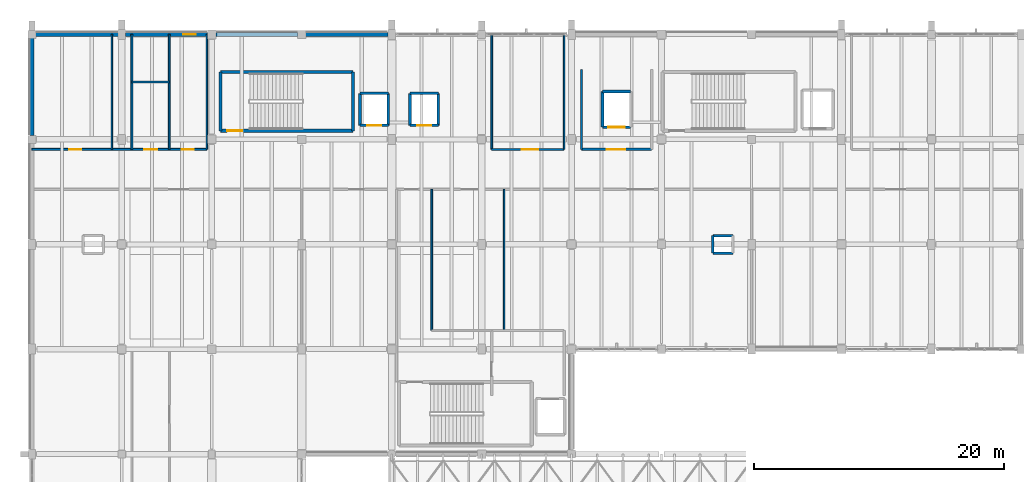
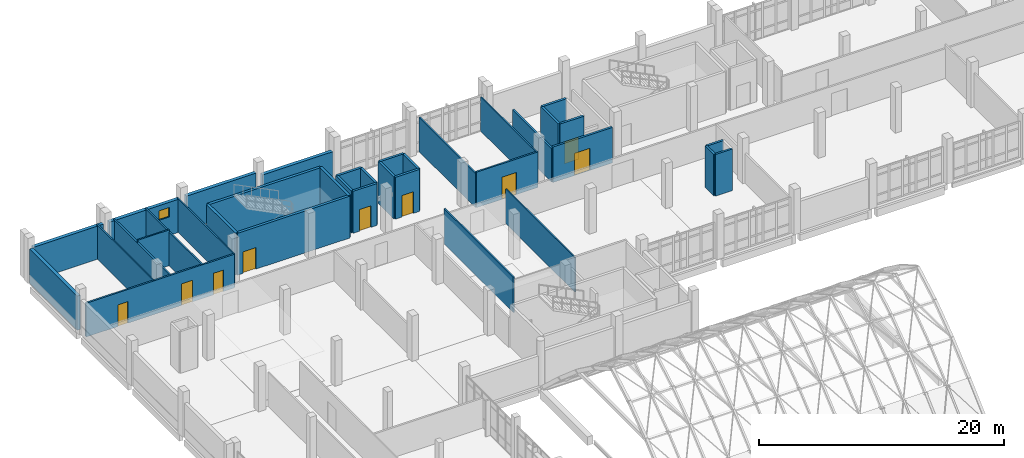
# One storey, part 76 of 87: 36 walls, 9 doors, 1 window, 10 openings.
"""IFC4 building model written with IfcOpenShell, lengths in metres."""

from ifc_helpers import new_model, si_unit, direction, frame, frame_2d, origin, place, context, subcontext, project, spatial, rectangle, extrude, material, layer, layer_set, type_object, element, fill, save


model = new_model("IFC4")

# Units and contexts
model_context = context("Model", 3, precision=1e-05, world=origin(), true_north=direction((0.0, 1.0)))
body_context = subcontext(model_context, "Body", "Model", "MODEL_VIEW")
ifc_project = project(units=[si_unit("LENGTHUNIT", "METRE"), si_unit("AREAUNIT", "SQUARE_METRE"), si_unit("VOLUMEUNIT", "CUBIC_METRE"), si_unit("PLANEANGLEUNIT", "RADIAN"), si_unit("MASSUNIT", "GRAM", prefix="KILO")], contexts=[model_context])

# Site, building, storey
site_placement = place(None, origin())
site = spatial("IfcSite", under=ifc_project, at=site_placement, CompositionType="ELEMENT")
building_placement = place(site_placement, origin())
building = spatial("IfcBuilding", under=site, at=building_placement, Name="Kalluvel Institute of Natural Sciences", CompositionType="ELEMENT")
storey_placement = place(building_placement, frame((0.0, 0.0, 18.89990234375)))
storey = spatial("IfcBuildingStorey", under=building, at=storey_placement, Name="L04", CompositionType="ELEMENT", Elevation=18.89990234375)

# Wall, opening, door
ifc_material_1 = material(Name="Concrete M40", Category="concrete")
ifc_layer_1 = layer(ifc_material_1, 0.25)
ifc_layer_set_1 = layer_set([ifc_layer_1], Name="Concrete M40")
wall_type_1 = type_object("IfcWallType", Name="WL-CORE-250", PredefinedType="SHEAR", material=ifc_layer_set_1)
wall_1_placement = place(storey_placement, frame((29.0849609375, 120.284912109375, 0.0), z_axis=(0.0, 0.0, 1.0), x_axis=(1.0, 0.0, 0.0)))
wall_1 = element("IfcWall", 1, at=wall_1_placement, inside=storey, type_object=wall_type_1, Name="ST1 L04 core wall S", PredefinedType="SHEAR", context=body_context, shape_type="SweptSolid", body=[
    extrude(rectangle(XDim=10.630126953125, YDim=0.25, at=frame_2d((5.31494140625, 0.0))), origin(), (0.0, 0.0, 1.0), 4.175048828125),
])
opening_1_placement = place(wall_1_placement, frame((0.550048828125, 0.0, 0.0)))
opening_1 = element("IfcOpeningElement", 2, at=opening_1_placement, cuts=wall_1, Name="Opening DS-006", PredefinedType="OPENING", context=body_context, shape_type="SweptSolid", body=[
    extrude(rectangle(XDim=1.199951171875, YDim=2.14990234375, at=frame_2d((0.60009765625, 1.074951171875))), frame((0.0, 0.135009765625, 0.0), z_axis=(0.0, -1.0, 0.0), x_axis=(1.0, 0.0, 0.0)), (0.0, 0.0, 1.0), 0.27001953125),
])
ifc_material_2 = material(Name="Galvanized Fire-Rated Steel", Category="steel")
door_type_1 = type_object("IfcDoorType", Name="DR-ST-1200", OperationType="NOTDEFINED", PredefinedType="DOOR", material=ifc_material_2)
door_1_placement = place(opening_1_placement, origin())
door_1 = element("IfcDoor", 3, at=door_1_placement, inside=storey, type_object=door_type_1, Name="ST1 L04 protected stair door DS-006", OperationType="SINGLE_SWING_RIGHT", OverallHeight=2.14990234375, OverallWidth=1.199951171875, PredefinedType="DOOR", context=body_context, shape_type="SweptSolid", body=[
    extrude(rectangle(XDim=1.199951171875, YDim=2.14990234375, at=frame_2d((0.60009765625, 1.074951171875))), frame((0.0, 0.02490234375, 0.0), z_axis=(0.0, -1.0, 0.0), x_axis=(1.0, 0.0, 0.0)), (0.0, 0.0, 1.0), 0.050048828125),
])
fill(opening_1, door_1)

# Walls
wall_2_placement = place(storey_placement, frame((39.715087890625, 120.284912109375, 0.0), z_axis=(0.0, 0.0, 1.0), x_axis=(0.0, 1.0, 0.0)))
element("IfcWall", 4, at=wall_2_placement, inside=storey, type_object=wall_type_1, Name="ST1 L04 core wall E", PredefinedType="SHEAR", context=body_context, shape_type="SweptSolid", body=[
    extrude(rectangle(XDim=4.7001953125, YDim=0.25, at=frame_2d((2.35009765625, 0.0))), origin(), (0.0, 0.0, 1.0), 4.175048828125),
])
wall_3_placement = place(storey_placement, frame((39.715087890625, 124.985107421875, 0.0), z_axis=(0.0, 0.0, 1.0), x_axis=(-1.0, 0.0, 0.0)))
element("IfcWall", 5, at=wall_3_placement, inside=storey, type_object=wall_type_1, Name="ST1 L04 core wall N", PredefinedType="SHEAR", context=body_context, shape_type="SweptSolid", body=[
    extrude(rectangle(XDim=10.630126953125, YDim=0.25, at=frame_2d((5.31494140625, 0.0))), origin(), (0.0, 0.0, 1.0), 4.175048828125),
])
wall_4_placement = place(storey_placement, frame((29.0849609375, 124.985107421875, 0.0), z_axis=(0.0, 0.0, 1.0), x_axis=(0.0, -1.0, 0.0)))
element("IfcWall", 6, at=wall_4_placement, inside=storey, type_object=wall_type_1, Name="ST1 L04 core wall W", PredefinedType="SHEAR", context=body_context, shape_type="SweptSolid", body=[
    extrude(rectangle(XDim=4.7001953125, YDim=0.25, at=frame_2d((2.35009765625, 0.0))), origin(), (0.0, 0.0, 1.0), 4.175048828125),
])
ifc_material_3 = material(Name="Sadarahalli Grey Granite Ashlar Concrete M40", Category="masonry")
ifc_layer_2 = layer(ifc_material_3, 0.320068359375)
ifc_layer_set_2 = layer_set([ifc_layer_2], Name="Sadarahalli Grey Granite Ashlar Concrete M40")
wall_type_2 = type_object("IfcWallType", Name="WL-EXT-320", PredefinedType="SOLIDWALL", material=ifc_layer_set_2)
wall_5_placement = place(storey_placement, frame((14.304931640625, 128.0, 0.0), z_axis=(0.0, 0.0, 1.0), x_axis=(1.0, 0.0, 0.0)))
element("IfcWall", 7, at=wall_5_placement, inside=storey, type_object=wall_type_2, Name="L04 Sadarahalli granite exterior wall WL-EXT-L04-0050", PredefinedType="SOLIDWALL", context=body_context, shape_type="SweptSolid", body=[
    extrude(rectangle(XDim=6.614990234375, YDim=0.320068359375, at=frame_2d((3.3076171875, 0.0))), origin(), (0.0, 0.0, 1.0), 3.30517578125),
])

# Wall, opening, window
wall_6_placement = place(storey_placement, frame((21.47998046875, 128.0, 0.0), z_axis=(0.0, 0.0, 1.0), x_axis=(1.0, 0.0, 0.0)))
wall_6 = element("IfcWall", 8, at=wall_6_placement, inside=storey, type_object=wall_type_2, Name="L04 Sadarahalli granite exterior wall WL-EXT-L04-0051", PredefinedType="SOLIDWALL", context=body_context, shape_type="SweptSolid", body=[
    extrude(rectangle(XDim=6.590087890625, YDim=0.320068359375, at=frame_2d((3.294921875, 0.0))), origin(), (0.0, 0.0, 1.0), 3.30517578125),
])
opening_2_placement = place(wall_6_placement, frame((4.64990234375, 0.0, 1.85009765625)))
opening_2 = element("IfcOpeningElement", 9, at=opening_2_placement, cuts=wall_6, Name="Opening W-23", PredefinedType="OPENING", context=body_context, shape_type="SweptSolid", body=[
    extrude(rectangle(XDim=1.0, YDim=0.949951171875, at=frame_2d((0.5, 0.47509765625))), frame((0.0, 0.169921875, 0.0), z_axis=(0.0, -1.0, 0.0), x_axis=(1.0, 0.0, 0.0)), (0.0, 0.0, 1.0), 0.340087890625),
])
ifc_material_4 = material(Name="Solar-Control Low-E Laminated Glass", Category="glass")
window_type = type_object("IfcWindowType", Name="WN-HIGH-100x095", PartitioningType="SINGLE_PANEL", PredefinedType="WINDOW", material=ifc_material_4)
window_placement = place(opening_2_placement, origin())
window = element("IfcWindow", 10, at=window_placement, inside=storey, type_object=window_type, Name="L04 Gothic lancet window 18", OverallHeight=0.949951171875, OverallWidth=1.0, PartitioningType="SINGLE_PANEL", PredefinedType="WINDOW", context=body_context, shape_type="SweptSolid", body=[
    extrude(rectangle(XDim=1.0, YDim=0.949951171875, at=frame_2d((0.5, 0.47509765625))), frame((0.0, 0.030029296875, 0.0), z_axis=(0.0, -1.0, 0.0), x_axis=(1.0, 0.0, 0.0)), (0.0, 0.0, 1.0), 0.06005859375),
])
fill(opening_2, window)

# Walls
wall_7_placement = place(storey_placement, frame((28.72998046875, 128.0, 0.0), z_axis=(0.0, 0.0, 1.0), x_axis=(1.0, 0.0, 0.0)))
element("IfcWall", 11, at=wall_7_placement, inside=storey, type_object=wall_type_2, Name="L04 Sadarahalli granite exterior wall WL-EXT-L04-0052", PredefinedType="SOLIDWALL", context=body_context, shape_type="SweptSolid", body=[
    extrude(rectangle(XDim=6.56494140625, YDim=0.320068359375, at=frame_2d((3.282470703125, 0.0))), origin(), (0.0, 0.0, 1.0), 3.35498046875),
])
wall_8_placement = place(storey_placement, frame((35.905029296875, 128.0, 0.0), z_axis=(0.0, 0.0, 1.0), x_axis=(1.0, 0.0, 0.0)))
element("IfcWall", 12, at=wall_8_placement, inside=storey, type_object=wall_type_2, Name="L04 Sadarahalli granite exterior wall WL-EXT-L04-0053", PredefinedType="SOLIDWALL", context=body_context, shape_type="SweptSolid", body=[
    extrude(rectangle(XDim=6.614990234375, YDim=0.320068359375, at=frame_2d((3.3076171875, 0.0))), origin(), (0.0, 0.0, 1.0), 2.955078125),
])
wall_9_placement = place(storey_placement, frame((14.0, 119.905029296875, 0.0), z_axis=(0.0, 0.0, 1.0), x_axis=(0.0, 1.0, 0.0)))
element("IfcWall", 13, at=wall_9_placement, inside=storey, type_object=wall_type_2, Name="L04 Sadarahalli granite exterior wall WL-EXT-L04-0061", PredefinedType="SOLIDWALL", context=body_context, shape_type="SweptSolid", body=[
    extrude(rectangle(XDim=7.7900390625, YDim=0.320068359375, at=frame_2d((3.89501953125, 0.0))), origin(), (0.0, 0.0, 1.0), 3.405029296875),
])
ifc_material_5 = material(Name="Autoclaved Aerated Concrete Masonry Block", Category="masonry")
ifc_layer_3 = layer(ifc_material_5, 0.179931640625)
ifc_layer_set_3 = layer_set([ifc_layer_3], Name="Autoclaved Aerated Concrete Masonry Block")
wall_type_3 = type_object("IfcWallType", Name="WL-FIRE-180", PredefinedType="SOLIDWALL", material=ifc_layer_set_3)
wall_10_placement = place(storey_placement, frame((58.0, 118.800048828125, 0.0), z_axis=(0.0, 0.0, 1.0), x_axis=(0.0, 1.0, 0.0)))
element("IfcWall", 14, at=wall_10_placement, inside=storey, type_object=wall_type_3, Name="L04 interior fire wall WL-INT-L04-0205", PredefinedType="SOLIDWALL", context=body_context, shape_type="SweptSolid", body=[
    extrude(rectangle(XDim=6.39990234375, YDim=0.179931640625, at=frame_2d((3.199951171875, 0.0))), origin(), (0.0, 0.0, 1.0), 3.360107421875),
])

# Wall, opening, door
ifc_layer_4 = layer(ifc_material_5, 0.199951171875)
ifc_layer_set_4 = layer_set([ifc_layer_4], Name="Autoclaved Aerated Concrete Masonry Block")
wall_type_4 = type_object("IfcWallType", Name="WL-FIRE-200", PredefinedType="SOLIDWALL", material=ifc_layer_set_4)
wall_11_placement = place(storey_placement, frame((58.0, 118.800048828125, 0.0), z_axis=(0.0, 0.0, 1.0), x_axis=(1.0, 0.0, 0.0)))
wall_11 = element("IfcWall", 15, at=wall_11_placement, inside=storey, type_object=wall_type_4, Name="L04 interior fire wall WL-INT-L04-0204", PredefinedType="SOLIDWALL", context=body_context, shape_type="SweptSolid", body=[
    extrude(rectangle(XDim=5.60009765625, YDim=0.199951171875, at=frame_2d((2.800048828125, 0.0))), origin(), (0.0, 0.0, 1.0), 3.5400390625),
])
opening_3_placement = place(wall_11_placement, frame((2.0, 0.0, 0.0)))
opening_3 = element("IfcOpeningElement", 16, at=opening_3_placement, cuts=wall_11, Name="Opening D-169", PredefinedType="OPENING", context=body_context, shape_type="SweptSolid", body=[
    extrude(rectangle(XDim=1.5, YDim=2.199951171875, at=frame_2d((0.75, 1.10009765625))), frame((0.0, 0.10986328125, 0.0), z_axis=(0.0, -1.0, 0.0), x_axis=(1.0, 0.0, 0.0)), (0.0, 0.0, 1.0), 0.219970703125),
])
door_type_2 = type_object("IfcDoorType", Name="DR-FD60-1500", OperationType="NOTDEFINED", PredefinedType="DOOR", material=ifc_material_2)
door_2_placement = place(opening_3_placement, origin())
door_2 = element("IfcDoor", 17, at=door_2_placement, inside=storey, type_object=door_type_2, Name="L04 FF1 door D-169", OperationType="DOUBLE_DOOR_SINGLE_SWING", OverallHeight=2.199951171875, OverallWidth=1.5, PredefinedType="DOOR", context=body_context, shape_type="SweptSolid", body=[
    extrude(rectangle(XDim=1.5, YDim=2.199951171875, at=frame_2d((0.75, 1.10009765625))), frame((0.0, 0.02490234375, 0.0), z_axis=(0.0, -1.0, 0.0), x_axis=(1.0, 0.0, 0.0)), (0.0, 0.0, 1.0), 0.050048828125),
])
fill(opening_3, door_2)

# Walls
ifc_material_6 = material(Name="Acoustic Gypsum Twin-Stud Partition", Category="gypsum")
ifc_layer_5 = layer(ifc_material_6, 0.1201171875)
ifc_layer_set_5 = layer_set([ifc_layer_5], Name="Acoustic Gypsum Twin-Stud Partition")
wall_type_5 = type_object("IfcWallType", Name="WL-PART-120", PredefinedType="PARTITIONING", material=ifc_layer_set_5)
wall_12_placement = place(storey_placement, frame((20.39990234375, 118.800048828125, 0.0), z_axis=(0.0, 0.0, 1.0), x_axis=(0.0, 1.0, 0.0)))
element("IfcWall", 18, at=wall_12_placement, inside=storey, type_object=wall_type_5, Name="L04 interior partition wall WL-INT-L04-0215", PredefinedType="PARTITIONING", context=body_context, shape_type="SweptSolid", body=[
    extrude(rectangle(XDim=9.199951171875, YDim=0.1201171875, at=frame_2d((4.60009765625, 0.0))), origin(), (0.0, 0.0, 1.0), 3.41015625),
])
wall_13_placement = place(storey_placement, frame((28.0, 118.800048828125, 0.0), z_axis=(0.0, 0.0, 1.0), x_axis=(0.0, 1.0, 0.0)))
element("IfcWall", 19, at=wall_13_placement, inside=storey, type_object=wall_type_5, Name="L04 interior partition wall WL-INT-L04-0218", PredefinedType="PARTITIONING", context=body_context, shape_type="SweptSolid", body=[
    extrude(rectangle(XDim=9.199951171875, YDim=0.1201171875, at=frame_2d((4.60009765625, 0.0))), origin(), (0.0, 0.0, 1.0), 3.360107421875),
])
wall_14_placement = place(storey_placement, frame((56.60009765625, 118.800048828125, 0.0), z_axis=(0.0, 0.0, 1.0), x_axis=(0.0, 1.0, 0.0)))
element("IfcWall", 20, at=wall_14_placement, inside=storey, type_object=wall_type_5, Name="L04 interior partition wall WL-INT-L04-0221", PredefinedType="PARTITIONING", context=body_context, shape_type="SweptSolid", body=[
    extrude(rectangle(XDim=9.199951171875, YDim=0.1201171875, at=frame_2d((4.60009765625, 0.0))), origin(), (0.0, 0.0, 1.0), 3.41015625),
])
wall_15_placement = place(storey_placement, frame((51.800048828125, 104.300048828125, 0.0), z_axis=(0.0, 0.0, 1.0), x_axis=(0.0, 1.0, 0.0)))
element("IfcWall", 21, at=wall_15_placement, inside=storey, type_object=wall_type_5, Name="L04 interior partition wall WL-INT-L04-0227", PredefinedType="PARTITIONING", context=body_context, shape_type="SweptSolid", body=[
    extrude(rectangle(XDim=11.300048828125, YDim=0.1201171875, at=frame_2d((5.64990234375, 0.0))), origin(), (0.0, 0.0, 1.0), 3.440185546875),
])
ifc_layer_6 = layer(ifc_material_6, 0.139892578125)
ifc_layer_set_6 = layer_set([ifc_layer_6], Name="Acoustic Gypsum Twin-Stud Partition")
wall_type_6 = type_object("IfcWallType", Name="WL-PART-140", PredefinedType="PARTITIONING", material=ifc_layer_set_6)
wall_16_placement = place(storey_placement, frame((46.0, 104.300048828125, 0.0), z_axis=(0.0, 0.0, 1.0), x_axis=(0.0, 1.0, 0.0)))
element("IfcWall", 22, at=wall_16_placement, inside=storey, type_object=wall_type_6, Name="L04 interior partition wall WL-INT-L04-0211", PredefinedType="PARTITIONING", context=body_context, shape_type="SweptSolid", body=[
    extrude(rectangle(XDim=11.300048828125, YDim=0.139892578125, at=frame_2d((5.64990234375, 0.0))), origin(), (0.0, 0.0, 1.0), 3.52001953125),
])
wall_17_placement = place(storey_placement, frame((22.0, 124.199951171875, 0.0), z_axis=(0.0, 0.0, 1.0), x_axis=(1.0, 0.0, 0.0)))
element("IfcWall", 23, at=wall_17_placement, inside=storey, type_object=wall_type_6, Name="L04 interior partition wall WL-INT-L04-0214", PredefinedType="PARTITIONING", context=body_context, shape_type="SweptSolid", body=[
    extrude(rectangle(XDim=3.0, YDim=0.139892578125, at=frame_2d((1.5, 0.0))), origin(), (0.0, 0.0, 1.0), 3.56005859375),
])
wall_18_placement = place(storey_placement, frame((25.0, 118.800048828125, 0.0), z_axis=(0.0, 0.0, 1.0), x_axis=(0.0, 1.0, 0.0)))
element("IfcWall", 24, at=wall_18_placement, inside=storey, type_object=wall_type_6, Name="L04 interior partition wall WL-INT-L04-0217", PredefinedType="PARTITIONING", context=body_context, shape_type="SweptSolid", body=[
    extrude(rectangle(XDim=9.199951171875, YDim=0.139892578125, at=frame_2d((4.60009765625, 0.0))), origin(), (0.0, 0.0, 1.0), 3.360107421875),
])
wall_19_placement = place(storey_placement, frame((50.800048828125, 118.800048828125, 0.0), z_axis=(0.0, 0.0, 1.0), x_axis=(0.0, 1.0, 0.0)))
element("IfcWall", 25, at=wall_19_placement, inside=storey, type_object=wall_type_6, Name="L04 interior partition wall WL-INT-L04-0220", PredefinedType="PARTITIONING", context=body_context, shape_type="SweptSolid", body=[
    extrude(rectangle(XDim=9.199951171875, YDim=0.139892578125, at=frame_2d((4.60009765625, 0.0))), origin(), (0.0, 0.0, 1.0), 3.41015625),
])

# Wall, openings, doors
ifc_layer_7 = layer(ifc_material_5, 0.159912109375)
ifc_layer_set_7 = layer_set([ifc_layer_7], Name="Autoclaved Aerated Concrete Masonry Block")
wall_type_7 = type_object("IfcWallType", Name="WL-PART-160", PredefinedType="PARTITIONING", material=ifc_layer_set_7)
wall_20_placement = place(storey_placement, frame((14.0, 118.800048828125, 0.0), z_axis=(0.0, 0.0, 1.0), x_axis=(1.0, 0.0, 0.0)))
wall_20 = element("IfcWall", 26, at=wall_20_placement, inside=storey, type_object=wall_type_7, Name="L04 interior partition wall WL-INT-L04-0213", PredefinedType="PARTITIONING", context=body_context, shape_type="SweptSolid", body=[
    extrude(rectangle(XDim=14.0, YDim=0.159912109375, at=frame_2d((7.0, 0.0))), origin(), (0.0, 0.0, 1.0), 3.360107421875),
])
opening_4_placement = place(wall_20_placement, frame((3.0, 0.0, 0.0)))
opening_4 = element("IfcOpeningElement", 27, at=opening_4_placement, cuts=wall_20, Name="Opening D-171", PredefinedType="OPENING", context=body_context, shape_type="SweptSolid", body=[
    extrude(rectangle(XDim=0.949951171875, YDim=2.14990234375, at=frame_2d((0.47509765625, 1.074951171875))), frame((0.0, 0.08984375, 0.0), z_axis=(0.0, -1.0, 0.0), x_axis=(1.0, 0.0, 0.0)), (0.0, 0.0, 1.0), 0.179931640625),
])
opening_5_placement = place(wall_20_placement, frame((9.0, 0.0, 0.0)))
opening_5 = element("IfcOpeningElement", 28, at=opening_5_placement, cuts=wall_20, Name="Opening D-172", PredefinedType="OPENING", context=body_context, shape_type="SweptSolid", body=[
    extrude(rectangle(XDim=1.050048828125, YDim=2.14990234375, at=frame_2d((0.52490234375, 1.074951171875))), frame((0.0, 0.08984375, 0.0), z_axis=(0.0, -1.0, 0.0), x_axis=(1.0, 0.0, 0.0)), (0.0, 0.0, 1.0), 0.179931640625),
])
opening_6_placement = place(wall_20_placement, frame((12.0, 0.0, 0.0)))
opening_6 = element("IfcOpeningElement", 29, at=opening_6_placement, cuts=wall_20, Name="Opening D-173", PredefinedType="OPENING", context=body_context, shape_type="SweptSolid", body=[
    extrude(rectangle(XDim=0.949951171875, YDim=2.14990234375, at=frame_2d((0.47509765625, 1.074951171875))), frame((0.0, 0.08984375, 0.0), z_axis=(0.0, -1.0, 0.0), x_axis=(1.0, 0.0, 0.0)), (0.0, 0.0, 1.0), 0.179931640625),
])
ifc_material_7 = material(Name="Engineered Hardwood Acoustic Leaf", Category="wood")
door_type_3 = type_object("IfcDoorType", Name="DR-ACC-1050", OperationType="NOTDEFINED", PredefinedType="DOOR", material=ifc_material_7)
door_3_placement = place(opening_5_placement, origin())
door_3 = element("IfcDoor", 30, at=door_3_placement, inside=storey, type_object=door_type_3, Name="L04 Accessible WC door D-172", OperationType="SINGLE_SWING_RIGHT", OverallHeight=2.14990234375, OverallWidth=1.050048828125, PredefinedType="DOOR", context=body_context, shape_type="SweptSolid", body=[
    extrude(rectangle(XDim=1.050048828125, YDim=2.14990234375, at=frame_2d((0.52490234375, 1.074951171875))), frame((0.0, 0.02490234375, 0.0), z_axis=(0.0, -1.0, 0.0), x_axis=(1.0, 0.0, 0.0)), (0.0, 0.0, 1.0), 0.050048828125),
])
fill(opening_5, door_3)
door_type_4 = type_object("IfcDoorType", Name="DR-INT-950", OperationType="NOTDEFINED", PredefinedType="DOOR", material=ifc_material_7)
door_4_placement = place(opening_4_placement, origin())
door_4 = element("IfcDoor", 31, at=door_4_placement, inside=storey, type_object=door_type_4, Name="L04 Male WC door D-171", OperationType="SINGLE_SWING_LEFT", OverallHeight=2.14990234375, OverallWidth=0.949951171875, PredefinedType="DOOR", context=body_context, shape_type="SweptSolid", body=[
    extrude(rectangle(XDim=0.949951171875, YDim=2.14990234375, at=frame_2d((0.47509765625, 1.074951171875))), frame((0.0, 0.02490234375, 0.0), z_axis=(0.0, -1.0, 0.0), x_axis=(1.0, 0.0, 0.0)), (0.0, 0.0, 1.0), 0.050048828125),
])
fill(opening_4, door_4)
door_5_placement = place(opening_6_placement, origin())
door_5 = element("IfcDoor", 32, at=door_5_placement, inside=storey, type_object=door_type_4, Name="L04 Female WC door D-173", OperationType="SINGLE_SWING_LEFT", OverallHeight=2.14990234375, OverallWidth=0.949951171875, PredefinedType="DOOR", context=body_context, shape_type="SweptSolid", body=[
    extrude(rectangle(XDim=0.949951171875, YDim=2.14990234375, at=frame_2d((0.47509765625, 1.074951171875))), frame((0.0, 0.02490234375, 0.0), z_axis=(0.0, -1.0, 0.0), x_axis=(1.0, 0.0, 0.0)), (0.0, 0.0, 1.0), 0.050048828125),
])
fill(opening_6, door_5)

# Wall
wall_21_placement = place(storey_placement, frame((22.0, 118.800048828125, 0.0), z_axis=(0.0, 0.0, 1.0), x_axis=(0.0, 1.0, 0.0)))
element("IfcWall", 33, at=wall_21_placement, inside=storey, type_object=wall_type_7, Name="L04 interior partition wall WL-INT-L04-0216", PredefinedType="PARTITIONING", context=body_context, shape_type="SweptSolid", body=[
    extrude(rectangle(XDim=9.199951171875, YDim=0.159912109375, at=frame_2d((4.60009765625, 0.0))), origin(), (0.0, 0.0, 1.0), 3.360107421875),
])

# Wall, opening, door
wall_22_placement = place(storey_placement, frame((50.800048828125, 118.800048828125, 0.0), z_axis=(0.0, 0.0, 1.0), x_axis=(1.0, 0.0, 0.0)))
wall_22 = element("IfcWall", 34, at=wall_22_placement, inside=storey, type_object=wall_type_7, Name="L04 interior partition wall WL-INT-L04-0219", PredefinedType="PARTITIONING", context=body_context, shape_type="SweptSolid", body=[
    extrude(rectangle(XDim=5.800048828125, YDim=0.159912109375, at=frame_2d((2.89990234375, 0.0))), origin(), (0.0, 0.0, 1.0), 3.5400390625),
])
opening_7_placement = place(wall_22_placement, frame((2.39990234375, 0.0, 0.0)))
opening_7 = element("IfcOpeningElement", 35, at=opening_7_placement, cuts=wall_22, Name="Opening D-174", PredefinedType="OPENING", context=body_context, shape_type="SweptSolid", body=[
    extrude(rectangle(XDim=1.35009765625, YDim=2.199951171875, at=frame_2d((0.675048828125, 1.10009765625))), frame((0.0, 0.08984375, 0.0), z_axis=(0.0, -1.0, 0.0), x_axis=(1.0, 0.0, 0.0)), (0.0, 0.0, 1.0), 0.179931640625),
])
ifc_material_8 = material(Name="Aluminium AW-6063 T6", Category="aluminium")
door_type_5 = type_object("IfcDoorType", Name="DR-INT-1350", OperationType="NOTDEFINED", PredefinedType="DOOR", material=ifc_material_8)
door_6_placement = place(opening_7_placement, origin())
door_6 = element("IfcDoor", 36, at=door_6_placement, inside=storey, type_object=door_type_5, Name="L04 North Write-Up door D-174", OperationType="SINGLE_SWING_RIGHT", OverallHeight=2.199951171875, OverallWidth=1.35009765625, PredefinedType="DOOR", context=body_context, shape_type="SweptSolid", body=[
    extrude(rectangle(XDim=1.35009765625, YDim=2.199951171875, at=frame_2d((0.675048828125, 1.10009765625))), frame((0.0, 0.02490234375, 0.0), z_axis=(0.0, -1.0, 0.0), x_axis=(1.0, 0.0, 0.0)), (0.0, 0.0, 1.0), 0.050048828125),
])
fill(opening_7, door_6)

# Walls
ifc_layer_8 = layer(ifc_material_1, 0.199951171875)
ifc_layer_set_8 = layer_set([ifc_layer_8], Name="Concrete M40")
wall_type_8 = type_object("IfcWallType", Name="WL-RISER-200", PredefinedType="SHEAR", material=ifc_layer_set_8)
for number, where, z_axis, x_axis, name in (
    (37, (68.5, 110.5, 0.0), (0.0, 0.0, 1.0), (1.0, 0.0, 0.0), "RS-WET-E L04 service riser enclosure S"),
    (38, (70.10009765625, 111.89990234375, 0.0), (0.0, 0.0, 1.0), (-1.0, 0.0, 0.0), "RS-WET-E L04 service riser enclosure N"),
):
    element("IfcWall", number, at=place(storey_placement, frame(where, z_axis=z_axis, x_axis=x_axis)), inside=storey, type_object=wall_type_8, Name=name, PredefinedType="SHEAR", context=body_context, shape_type="SweptSolid", body=[
        extrude(rectangle(XDim=1.60009765625, YDim=0.199951171875, at=frame_2d((0.800048828125, 0.0))), origin(), (0.0, 0.0, 1.0), 4.14013671875),
    ])
wall_23_placement = place(storey_placement, frame((68.5, 111.89990234375, 0.0), z_axis=(0.0, 0.0, 1.0), x_axis=(0.0, -1.0, 0.0)))
element("IfcWall", 39, at=wall_23_placement, inside=storey, type_object=wall_type_8, Name="RS-WET-E L04 service riser enclosure W", PredefinedType="SHEAR", context=body_context, shape_type="SweptSolid", body=[
    extrude(rectangle(XDim=1.39990234375, YDim=0.199951171875, at=frame_2d((0.699951171875, 0.0))), origin(), (0.0, 0.0, 1.0), 4.14013671875),
])

# Wall, opening, door
ifc_layer_9 = layer(ifc_material_1, 0.219970703125)
ifc_layer_set_9 = layer_set([ifc_layer_9], Name="Concrete M40")
wall_type_9 = type_object("IfcWallType", Name="WL-SHAFT-220", PredefinedType="SHEAR", material=ifc_layer_set_9)
wall_24_placement = place(storey_placement, frame((40.27001953125, 120.719970703125, 0.0), z_axis=(0.0, 0.0, 1.0), x_axis=(1.0, 0.0, 0.0)))
wall_24 = element("IfcWall", 40, at=wall_24_placement, inside=storey, type_object=wall_type_9, Name="LF1 L04 lift shaft wall", PredefinedType="SHEAR", context=body_context, shape_type="SweptSolid", body=[
    extrude(rectangle(XDim=2.260009765625, YDim=0.219970703125, at=frame_2d((1.1298828125, 0.0))), origin(), (0.0, 0.0, 1.0), 4.175048828125),
])
opening_8_placement = place(wall_24_placement, frame((0.580078125, 0.0, 0.0)))
opening_8 = element("IfcOpeningElement", 41, at=opening_8_placement, cuts=wall_24, Name="Opening LD-006", PredefinedType="OPENING", context=body_context, shape_type="SweptSolid", body=[
    extrude(rectangle(XDim=1.10009765625, YDim=2.14990234375, at=frame_2d((0.550048828125, 1.074951171875))), frame((0.0, 0.119873046875, 0.0), z_axis=(0.0, -1.0, 0.0), x_axis=(1.0, 0.0, 0.0)), (0.0, 0.0, 1.0), 0.239990234375),
])
door_type_6 = type_object("IfcDoorType", Name="DR-LD-1100", OperationType="NOTDEFINED", PredefinedType="DOOR", material=ifc_material_2)
door_7_placement = place(opening_8_placement, origin())
door_7 = element("IfcDoor", 42, at=door_7_placement, inside=storey, type_object=door_type_6, Name="LF1 L04 sliding lift landing door LD-006", OperationType="DOUBLE_DOOR_SLIDING", OverallHeight=2.14990234375, OverallWidth=1.10009765625, PredefinedType="DOOR", context=body_context, shape_type="SweptSolid", body=[
    extrude(rectangle(XDim=1.10009765625, YDim=2.14990234375, at=frame_2d((0.550048828125, 1.074951171875))), frame((0.0, 0.02490234375, 0.0), z_axis=(0.0, -1.0, 0.0), x_axis=(1.0, 0.0, 0.0)), (0.0, 0.0, 1.0), 0.050048828125),
])
fill(opening_8, door_7)

# Walls
wall_25_placement = place(storey_placement, frame((42.530029296875, 120.719970703125, 0.0), z_axis=(0.0, 0.0, 1.0), x_axis=(0.0, 1.0, 0.0)))
element("IfcWall", 43, at=wall_25_placement, inside=storey, type_object=wall_type_9, Name="LF1 L04 lift shaft wall", PredefinedType="SHEAR", context=body_context, shape_type="SweptSolid", body=[
    extrude(rectangle(XDim=2.56005859375, YDim=0.219970703125, at=frame_2d((1.280029296875, 0.0))), origin(), (0.0, 0.0, 1.0), 4.175048828125),
])
wall_26_placement = place(storey_placement, frame((42.530029296875, 123.280029296875, 0.0), z_axis=(0.0, 0.0, 1.0), x_axis=(-1.0, 0.0, 0.0)))
element("IfcWall", 44, at=wall_26_placement, inside=storey, type_object=wall_type_9, Name="LF1 L04 lift shaft wall", PredefinedType="SHEAR", context=body_context, shape_type="SweptSolid", body=[
    extrude(rectangle(XDim=2.260009765625, YDim=0.219970703125, at=frame_2d((1.1298828125, 0.0))), origin(), (0.0, 0.0, 1.0), 4.175048828125),
])
wall_27_placement = place(storey_placement, frame((40.27001953125, 123.280029296875, 0.0), z_axis=(0.0, 0.0, 1.0), x_axis=(0.0, -1.0, 0.0)))
element("IfcWall", 45, at=wall_27_placement, inside=storey, type_object=wall_type_9, Name="LF1 L04 lift shaft wall", PredefinedType="SHEAR", context=body_context, shape_type="SweptSolid", body=[
    extrude(rectangle(XDim=2.56005859375, YDim=0.219970703125, at=frame_2d((1.280029296875, 0.0))), origin(), (0.0, 0.0, 1.0), 4.175048828125),
])

# Wall, opening, door
wall_28_placement = place(storey_placement, frame((44.27001953125, 120.719970703125, 0.0), z_axis=(0.0, 0.0, 1.0), x_axis=(1.0, 0.0, 0.0)))
wall_28 = element("IfcWall", 46, at=wall_28_placement, inside=storey, type_object=wall_type_9, Name="LF2 L04 lift shaft wall", PredefinedType="SHEAR", context=body_context, shape_type="SweptSolid", body=[
    extrude(rectangle(XDim=2.260009765625, YDim=0.219970703125, at=frame_2d((1.1298828125, 0.0))), origin(), (0.0, 0.0, 1.0), 4.175048828125),
])
opening_9_placement = place(wall_28_placement, frame((0.580078125, 0.0, 0.0)))
opening_9 = element("IfcOpeningElement", 47, at=opening_9_placement, cuts=wall_28, Name="Opening LD-016", PredefinedType="OPENING", context=body_context, shape_type="SweptSolid", body=[
    extrude(rectangle(XDim=1.10009765625, YDim=2.14990234375, at=frame_2d((0.550048828125, 1.074951171875))), frame((0.0, 0.119873046875, 0.0), z_axis=(0.0, -1.0, 0.0), x_axis=(1.0, 0.0, 0.0)), (0.0, 0.0, 1.0), 0.239990234375),
])
door_8_placement = place(opening_9_placement, origin())
door_8 = element("IfcDoor", 48, at=door_8_placement, inside=storey, type_object=door_type_6, Name="LF2 L04 sliding lift landing door LD-016", OperationType="DOUBLE_DOOR_SLIDING", OverallHeight=2.14990234375, OverallWidth=1.10009765625, PredefinedType="DOOR", context=body_context, shape_type="SweptSolid", body=[
    extrude(rectangle(XDim=1.10009765625, YDim=2.14990234375, at=frame_2d((0.550048828125, 1.074951171875))), frame((0.0, 0.02490234375, 0.0), z_axis=(0.0, -1.0, 0.0), x_axis=(1.0, 0.0, 0.0)), (0.0, 0.0, 1.0), 0.050048828125),
])
fill(opening_9, door_8)

# Walls
wall_29_placement = place(storey_placement, frame((46.530029296875, 120.719970703125, 0.0), z_axis=(0.0, 0.0, 1.0), x_axis=(0.0, 1.0, 0.0)))
element("IfcWall", 49, at=wall_29_placement, inside=storey, type_object=wall_type_9, Name="LF2 L04 lift shaft wall", PredefinedType="SHEAR", context=body_context, shape_type="SweptSolid", body=[
    extrude(rectangle(XDim=2.56005859375, YDim=0.219970703125, at=frame_2d((1.280029296875, 0.0))), origin(), (0.0, 0.0, 1.0), 4.175048828125),
])
wall_30_placement = place(storey_placement, frame((46.530029296875, 123.280029296875, 0.0), z_axis=(0.0, 0.0, 1.0), x_axis=(-1.0, 0.0, 0.0)))
element("IfcWall", 50, at=wall_30_placement, inside=storey, type_object=wall_type_9, Name="LF2 L04 lift shaft wall", PredefinedType="SHEAR", context=body_context, shape_type="SweptSolid", body=[
    extrude(rectangle(XDim=2.260009765625, YDim=0.219970703125, at=frame_2d((1.1298828125, 0.0))), origin(), (0.0, 0.0, 1.0), 4.175048828125),
])
wall_31_placement = place(storey_placement, frame((44.27001953125, 123.280029296875, 0.0), z_axis=(0.0, 0.0, 1.0), x_axis=(0.0, -1.0, 0.0)))
element("IfcWall", 51, at=wall_31_placement, inside=storey, type_object=wall_type_9, Name="LF2 L04 lift shaft wall", PredefinedType="SHEAR", context=body_context, shape_type="SweptSolid", body=[
    extrude(rectangle(XDim=2.56005859375, YDim=0.219970703125, at=frame_2d((1.280029296875, 0.0))), origin(), (0.0, 0.0, 1.0), 4.175048828125),
])

# Wall, opening, door
wall_32_placement = place(storey_placement, frame((59.669921875, 120.570068359375, 0.0), z_axis=(0.0, 0.0, 1.0), x_axis=(1.0, 0.0, 0.0)))
wall_32 = element("IfcWall", 52, at=wall_32_placement, inside=storey, type_object=wall_type_9, Name="LF3 L04 lift shaft wall", PredefinedType="SHEAR", context=body_context, shape_type="SweptSolid", body=[
    extrude(rectangle(XDim=2.260009765625, YDim=0.219970703125, at=frame_2d((1.1298828125, 0.0))), origin(), (0.0, 0.0, 1.0), 4.175048828125),
])
opening_10_placement = place(wall_32_placement, frame((0.47998046875, 0.0, 0.0)))
opening_10 = element("IfcOpeningElement", 53, at=opening_10_placement, cuts=wall_32, Name="Opening LD-026", PredefinedType="OPENING", context=body_context, shape_type="SweptSolid", body=[
    extrude(rectangle(XDim=1.300048828125, YDim=2.199951171875, at=frame_2d((0.64990234375, 1.10009765625))), frame((0.0, 0.119873046875, 0.0), z_axis=(0.0, -1.0, 0.0), x_axis=(1.0, 0.0, 0.0)), (0.0, 0.0, 1.0), 0.239990234375),
])
door_type_7 = type_object("IfcDoorType", Name="DR-LD-1300", OperationType="NOTDEFINED", PredefinedType="DOOR", material=ifc_material_2)
door_9_placement = place(opening_10_placement, origin())
door_9 = element("IfcDoor", 54, at=door_9_placement, inside=storey, type_object=door_type_7, Name="LF3 L04 sliding lift landing door LD-026", OperationType="DOUBLE_DOOR_SLIDING", OverallHeight=2.199951171875, OverallWidth=1.300048828125, PredefinedType="DOOR", context=body_context, shape_type="SweptSolid", body=[
    extrude(rectangle(XDim=1.300048828125, YDim=2.199951171875, at=frame_2d((0.64990234375, 1.10009765625))), frame((0.0, 0.02490234375, 0.0), z_axis=(0.0, -1.0, 0.0), x_axis=(1.0, 0.0, 0.0)), (0.0, 0.0, 1.0), 0.050048828125),
])
fill(opening_10, door_9)

# Walls
wall_33_placement = place(storey_placement, frame((61.929931640625, 123.429931640625, 0.0), z_axis=(0.0, 0.0, 1.0), x_axis=(-1.0, 0.0, 0.0)))
element("IfcWall", 55, at=wall_33_placement, inside=storey, type_object=wall_type_9, Name="LF3 L04 lift shaft wall", PredefinedType="SHEAR", context=body_context, shape_type="SweptSolid", body=[
    extrude(rectangle(XDim=2.260009765625, YDim=0.219970703125, at=frame_2d((1.1298828125, 0.0))), origin(), (0.0, 0.0, 1.0), 4.175048828125),
])
wall_34_placement = place(storey_placement, frame((59.669921875, 123.429931640625, 0.0), z_axis=(0.0, 0.0, 1.0), x_axis=(0.0, -1.0, 0.0)))
element("IfcWall", 56, at=wall_34_placement, inside=storey, type_object=wall_type_9, Name="LF3 L04 lift shaft wall", PredefinedType="SHEAR", context=body_context, shape_type="SweptSolid", body=[
    extrude(rectangle(XDim=2.85986328125, YDim=0.219970703125, at=frame_2d((1.429931640625, 0.0))), origin(), (0.0, 0.0, 1.0), 4.175048828125),
])

save(model, "model.ifc")
